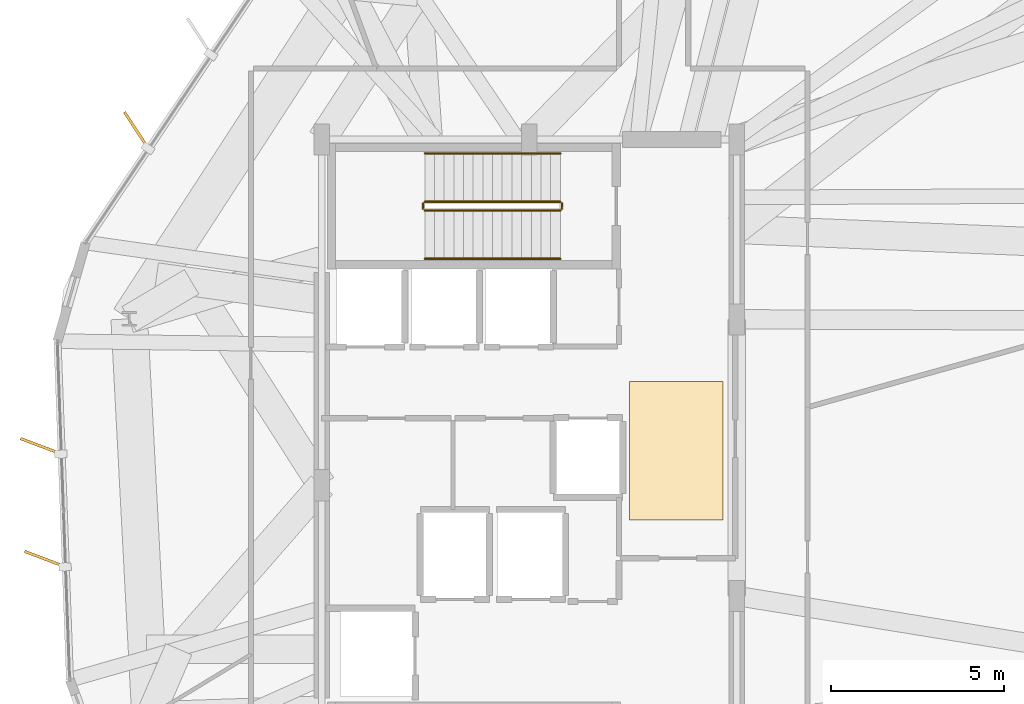
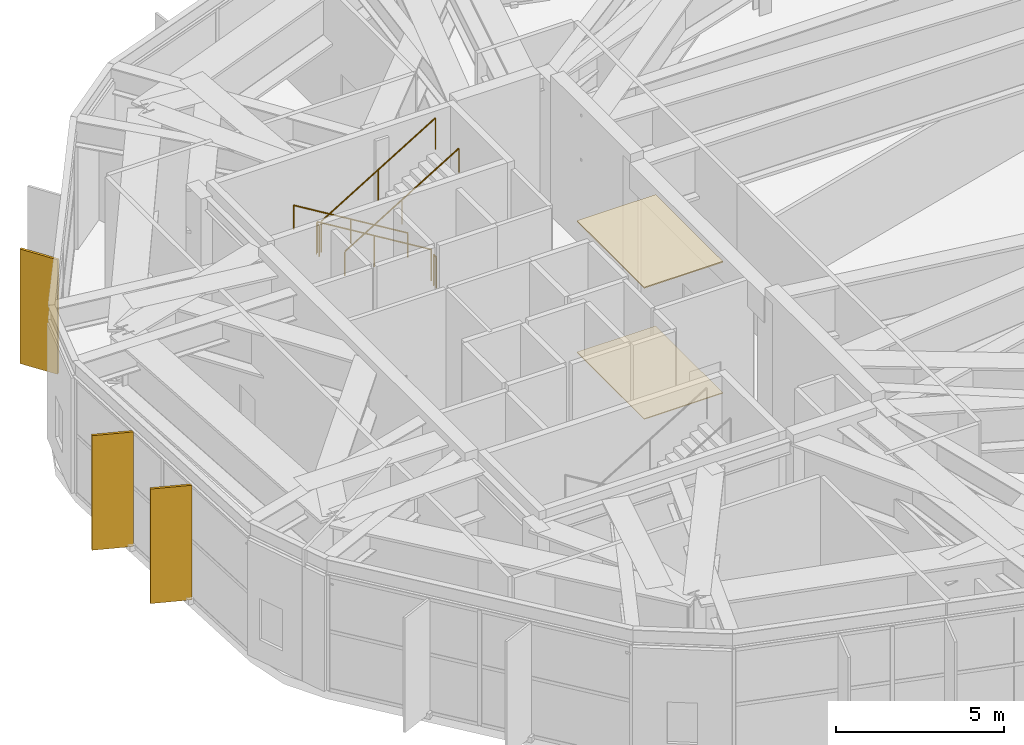
# One storey, part 29 of 30: 6 railings, 3 shading devices, 2 coverings.
"""IFC4 building model written with IfcOpenShell, lengths in metres."""

from ifc_helpers import new_model, si_unit, direction, frame, origin, origin_2d, place, context, subcontext, project, spatial, polyline, rectangle, circle, outline, extrude, material, layer, layer_set, type_object, element, save


model = new_model("IFC4")

# Units and contexts
model_context = context("Model", 3, precision=1e-05, world=origin(), true_north=direction((0.0, 1.0)))
body_context = subcontext(model_context, "Body", "Model", "MODEL_VIEW")
ifc_project = project(units=[si_unit("LENGTHUNIT", "METRE"), si_unit("AREAUNIT", "SQUARE_METRE"), si_unit("VOLUMEUNIT", "CUBIC_METRE"), si_unit("PLANEANGLEUNIT", "RADIAN"), si_unit("MASSUNIT", "GRAM", prefix="KILO")], contexts=[model_context])

# Site, building, storey
site_placement = place(None, origin())
site = spatial("IfcSite", under=ifc_project, at=site_placement, CompositionType="ELEMENT")
building_placement = place(site_placement, origin())
building = spatial("IfcBuilding", under=site, at=building_placement, Name="Soratama Intermodal Tower", CompositionType="ELEMENT")
storey_placement = place(building_placement, frame((0.0, 0.0, 237.39990234375)))
storey = spatial("IfcBuildingStorey", under=building, at=storey_placement, Name="L60", CompositionType="ELEMENT", Elevation=237.39990234375)

# Coverings
ifc_material_1 = material(Name="Perforated mineral acoustic ceiling", Category="concrete")
ifc_layer_1 = layer(ifc_material_1, 0.0400390625)
ifc_layer_set_1 = layer_set([ifc_layer_1], Name="Perforated mineral acoustic ceiling")
covering_type_1 = type_object("IfcCoveringType", Name="CV-CEIL-ACOUSTIC", PredefinedType="CEILING", material=ifc_layer_set_1)
covering_1_placement = place(storey_placement, frame((0.0, 0.0, 4.760009765625)))
element("IfcCovering", 1, at=covering_1_placement, inside=storey, type_object=covering_type_1, Name="L60 Acoustic Ceiling", PredefinedType="CEILING", context=body_context, shape_type="SweptSolid", body=[
    extrude(outline(polyline([(41.5, 24.0), (44.199951171875, 24.0), (44.199951171875, 28.0), (41.5, 28.0), (41.5, 24.0)])), origin(), (0.0, 0.0, 1.0), 0.0400390625),
])
ifc_material_2 = material(Name="Polished Andean stone terrazzo flooring", Category="masonry")
ifc_layer_2 = layer(ifc_material_2, 0.030029296875)
ifc_layer_set_2 = layer_set([ifc_layer_2], Name="Polished Andean stone terrazzo flooring")
covering_type_2 = type_object("IfcCoveringType", Name="CV-FLOR-TERRAZZO", PredefinedType="FLOORING", material=ifc_layer_set_2)
covering_2_placement = place(storey_placement, origin())
element("IfcCovering", 2, at=covering_2_placement, inside=storey, type_object=covering_type_2, Name="L60 Lobby Terrazzo Flooring", PredefinedType="FLOORING", context=body_context, shape_type="SweptSolid", body=[
    extrude(outline(polyline([(41.5, 24.0), (44.199951171875, 24.0), (44.199951171875, 28.0), (41.5, 28.0), (41.5, 24.0)])), origin(), (0.0, 0.0, 1.0), 0.030029296875),
])

# Railings
ifc_material_3 = material(Name="Painted steel stair guardrail", Category="steel")
railing_type_1 = type_object("IfcRailingType", Name="RL-STAIR-GUARD", PredefinedType="GUARDRAIL", material=ifc_material_3)
railing_1_placement = place(storey_placement, frame((39.5, 33.199951171875, 0.170166015625)))
element("IfcRailing", 3, at=railing_1_placement, inside=storey, type_object=railing_type_1, Name="L60 ST-2 stair guard 1", PredefinedType="GUARDRAIL", context=body_context, shape_type="SweptSolid", body=[
    extrude(circle(Radius=0.02392578125, at=origin_2d()), frame((0.0, 0.0, 1.1259765625), z_axis=(-0.854794262968, 0.0, 0.518967020143), x_axis=(0.0, -1.0, 0.0)), (0.0, 0.0, 1.0), 4.585693359375),
    extrude(circle(Radius=0.02099609375, at=origin_2d()), origin(), (0.0, 0.0, 1.0), 1.101806640625),
    extrude(circle(Radius=0.02099609375, at=origin_2d()), frame((-1.9599609375, 0.0, 1.18994140625)), (0.0, 0.0, 1.0), 1.101806640625),
    extrude(circle(Radius=0.02099609375, at=origin_2d()), frame((-3.919921875, 0.0, 2.3798828125)), (0.0, 0.0, 1.0), 1.101806640625),
])
railing_2_placement = place(storey_placement, frame((35.530029296875, 33.14990234375, 2.550048828125)))
element("IfcRailing", 4, at=railing_2_placement, inside=storey, type_object=railing_type_1, Name="L60 ST-2 stair guard 2", PredefinedType="GUARDRAIL", context=body_context, shape_type="SweptSolid", body=[
    extrude(circle(Radius=0.02392578125, at=origin_2d()), frame((0.0, 0.0, 1.1259765625), z_axis=(0.0, -1.0, 0.0), x_axis=(1.0, 0.0, 0.0)), (0.0, 0.0, 1.0), 0.14990234375),
    extrude(circle(Radius=0.02099609375, at=origin_2d()), origin(), (0.0, 0.0, 1.0), 1.101806640625),
    extrude(circle(Radius=0.02099609375, at=origin_2d()), frame((0.0, -0.14990234375, 0.0)), (0.0, 0.0, 1.0), 1.101806640625),
])
railing_3_placement = place(storey_placement, frame((35.580078125, 32.949951171875, 2.72021484375)))
element("IfcRailing", 5, at=railing_3_placement, inside=storey, type_object=railing_type_1, Name="L60 ST-2 stair guard 3", PredefinedType="GUARDRAIL", context=body_context, shape_type="SweptSolid", body=[
    extrude(circle(Radius=0.02392578125, at=origin_2d()), frame((0.0, 0.0, 1.1259765625), z_axis=(0.854794262968, 0.0, 0.518967020143), x_axis=(0.0, 1.0, 0.0)), (0.0, 0.0, 1.0), 4.585693359375),
    extrude(circle(Radius=0.02099609375, at=origin_2d()), origin(), (0.0, 0.0, 1.0), 1.101806640625),
    extrude(circle(Radius=0.02099609375, at=origin_2d()), frame((1.9599609375, 0.0, 1.18994140625)), (0.0, 0.0, 1.0), 1.101806640625),
    extrude(circle(Radius=0.02099609375, at=origin_2d()), frame((3.919921875, 0.0, 2.3798828125)), (0.0, 0.0, 1.0), 1.101806640625),
])
railing_4_placement = place(storey_placement, frame((39.550048828125, 33.14990234375, 0.0)))
element("IfcRailing", 6, at=railing_4_placement, inside=storey, type_object=railing_type_1, Name="L60 ST-2 stair guard 4", PredefinedType="GUARDRAIL", context=body_context, shape_type="SweptSolid", body=[
    extrude(circle(Radius=0.02392578125, at=origin_2d()), frame((0.0, 0.0, 1.1259765625), z_axis=(0.0, -1.0, 0.0), x_axis=(1.0, 0.0, 0.0)), (0.0, 0.0, 1.0), 0.14990234375),
    extrude(circle(Radius=0.02099609375, at=origin_2d()), origin(), (0.0, 0.0, 1.0), 1.101806640625),
    extrude(circle(Radius=0.02099609375, at=origin_2d()), frame((0.0, -0.14990234375, 0.0)), (0.0, 0.0, 1.0), 1.101806640625),
])
ifc_material_4 = material(Name="Brushed stainless steel handrail", Category="steel")
railing_type_2 = type_object("IfcRailingType", Name="RL-STAIR-HAND", PredefinedType="HANDRAIL", material=ifc_material_4)
railing_5_placement = place(storey_placement, frame((39.5, 34.60009765625, 0.170166015625)))
element("IfcRailing", 7, at=railing_5_placement, inside=storey, type_object=railing_type_2, Name="L60 ST-2 stair handrail 1", PredefinedType="HANDRAIL", context=body_context, shape_type="SweptSolid", body=[
    extrude(circle(Radius=0.02392578125, at=origin_2d()), frame((0.0, 0.0, 0.8759765625), z_axis=(-0.854794262968, 0.0, 0.518967020143), x_axis=(0.0, -1.0, 0.0)), (0.0, 0.0, 1.0), 4.585693359375),
    extrude(circle(Radius=0.02099609375, at=origin_2d()), origin(), (0.0, 0.0, 1.0), 0.851806640625),
    extrude(circle(Radius=0.02099609375, at=origin_2d()), frame((-1.9599609375, 0.0, 1.18994140625)), (0.0, 0.0, 1.0), 0.851806640625),
    extrude(circle(Radius=0.02099609375, at=origin_2d()), frame((-3.919921875, 0.0, 2.3798828125)), (0.0, 0.0, 1.0), 0.851806640625),
])
railing_6_placement = place(storey_placement, frame((35.580078125, 31.550048828125, 2.72021484375)))
element("IfcRailing", 8, at=railing_6_placement, inside=storey, type_object=railing_type_2, Name="L60 ST-2 stair handrail 2", PredefinedType="HANDRAIL", context=body_context, shape_type="SweptSolid", body=[
    extrude(circle(Radius=0.02392578125, at=origin_2d()), frame((0.0, 0.0, 0.8759765625), z_axis=(0.854794262968, 0.0, 0.518967020143), x_axis=(0.0, 1.0, 0.0)), (0.0, 0.0, 1.0), 4.585693359375),
    extrude(circle(Radius=0.02099609375, at=origin_2d()), origin(), (0.0, 0.0, 1.0), 0.851806640625),
    extrude(circle(Radius=0.02099609375, at=origin_2d()), frame((1.9599609375, 0.0, 1.18994140625)), (0.0, 0.0, 1.0), 0.851806640625),
    extrude(circle(Radius=0.02099609375, at=origin_2d()), frame((3.919921875, 0.0, 2.3798828125)), (0.0, 0.0, 1.0), 0.851806640625),
])

# Shading devices
ifc_material_5 = material(Name="Champagne anodised aluminium solar fin", Category="aluminium")
ifc_layer_3 = layer(ifc_material_5, 0.080078125)
ifc_layer_set_3 = layer_set([ifc_layer_3], Name="Champagne anodised aluminium solar fin")
shading_device_type = type_object("IfcShadingDeviceType", Name="SH-FIN-1250", PredefinedType="USERDEFINED", material=ifc_layer_set_3)
for number, where, z_axis, x_axis, name in (
    (9, (27.2373046875, 35.270263671875, 0.02001953125), (0.0, 0.0, 1.0), (-0.548585115048, 0.83609471446, 0.0), "L60 Solar Fin F03-2"),
    (10, (24.47314453125, 26.1318359375, 0.02001953125), (0.0, 0.0, 1.0), (-0.935258823614, 0.353964592652, 0.0), "L60 Solar Fin F04-1"),
    (11, (24.593017578125, 22.8681640625, 0.02001953125), (0.0, 0.0, 1.0), (-0.935258823614, 0.353964592652, 0.0), "L60 Solar Fin F04-2"),
):
    element("IfcShadingDevice", number, at=place(storey_placement, frame(where, z_axis=z_axis, x_axis=x_axis)), inside=storey, type_object=shading_device_type, Name=name, ObjectType="FIN", PredefinedType="USERDEFINED", context=body_context, shape_type="SweptSolid", body=[
        extrude(rectangle(XDim=1.25, YDim=0.080078125, at=origin_2d()), origin(), (0.0, 0.0, 1.0), 4.158935546875),
    ])

save(model, "model.ifc")
